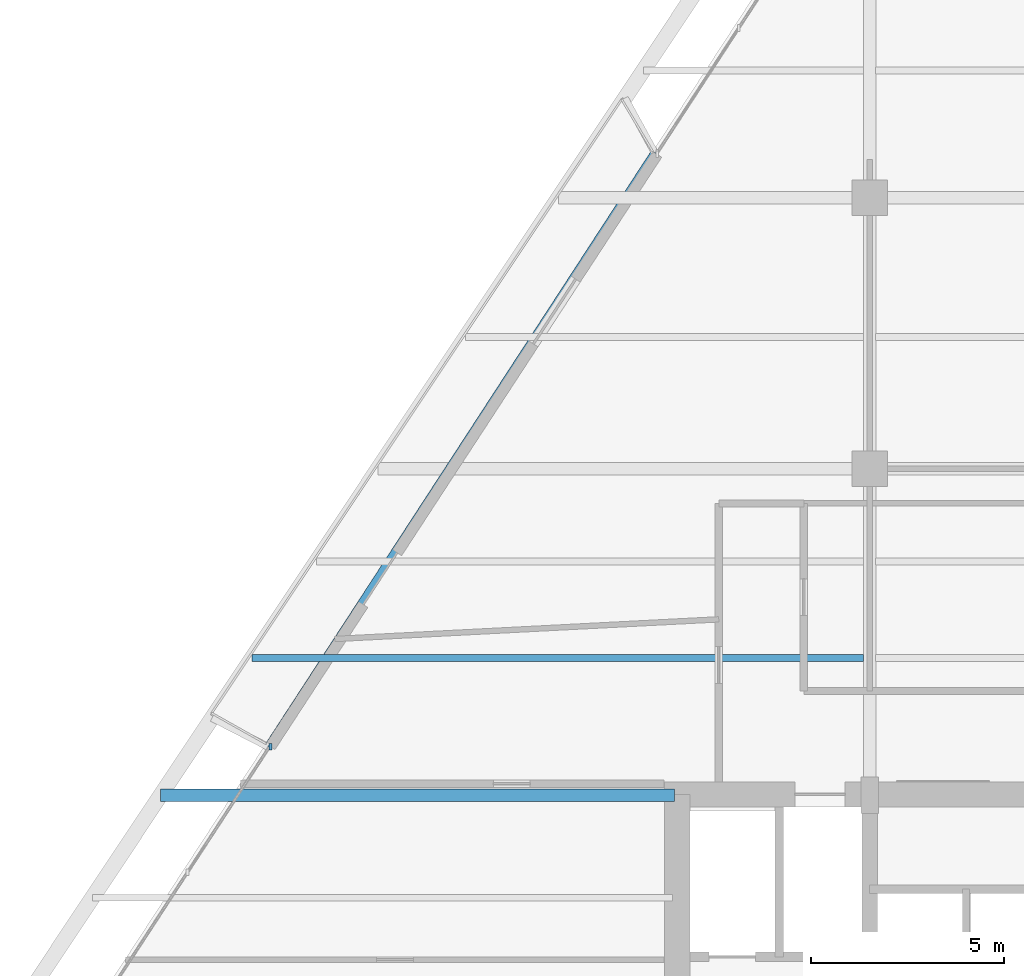
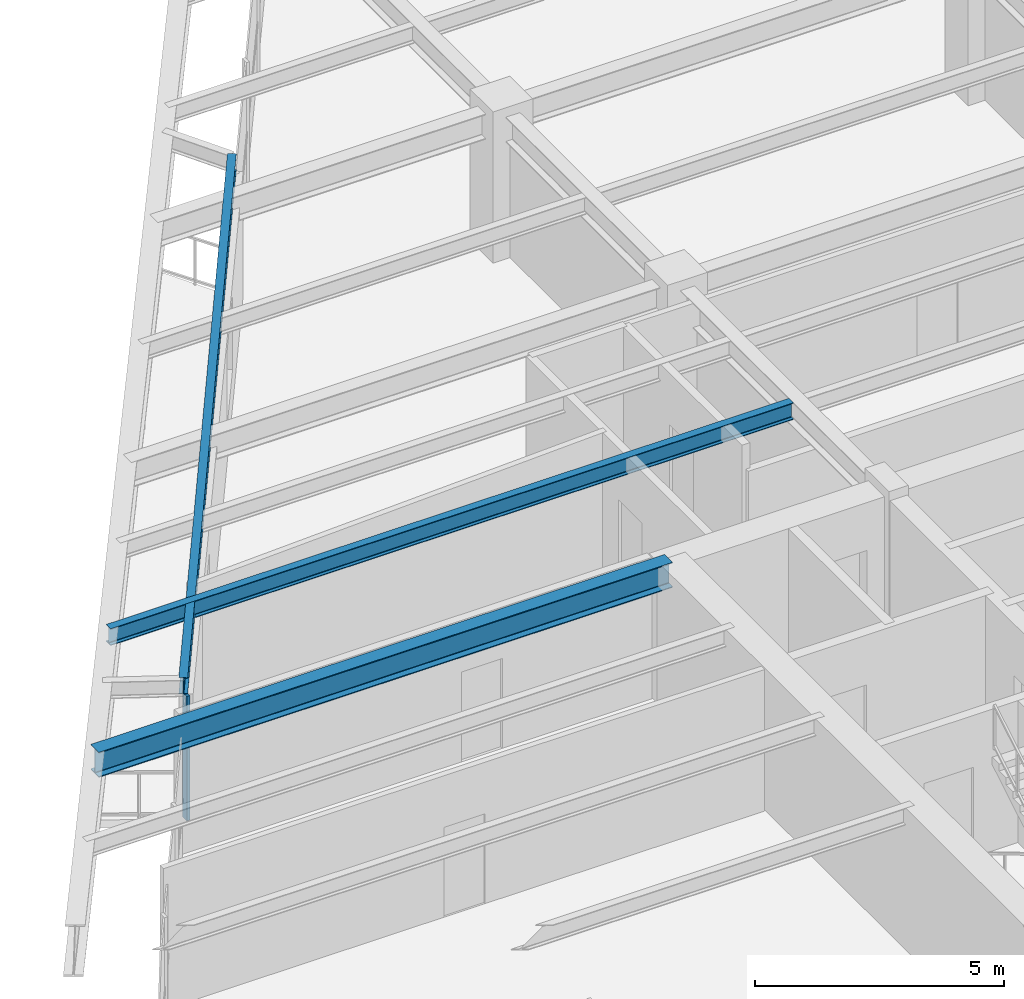
# One storey, part 4 of 15: 3 beams, 1 member, 1 element without a shape of its own.
"""IFC4 building model written with IfcOpenShell, lengths in metres."""

from ifc_helpers import new_model, si_unit, direction, frame, origin, origin_2d, place, context, subcontext, project, spatial, rectangle, i_section, extrude, source, transform, mapped, material, material_profile, profile_set, type_object, element, aggregate, save


model = new_model("IFC4")

# Units and contexts
model_context = context("Model", 3, precision=1e-05, world=origin(), true_north=direction((0.0, 1.0)))
body_context = subcontext(model_context, "Body", "Model", "MODEL_VIEW")
ifc_project = project(units=[si_unit("LENGTHUNIT", "METRE"), si_unit("AREAUNIT", "SQUARE_METRE"), si_unit("VOLUMEUNIT", "CUBIC_METRE"), si_unit("PLANEANGLEUNIT", "RADIAN"), si_unit("MASSUNIT", "GRAM", prefix="KILO")], contexts=[model_context])

# Site, building, storey
site_placement = place(None, origin())
site = spatial("IfcSite", under=ifc_project, at=site_placement, CompositionType="ELEMENT")
building_placement = place(site_placement, origin())
building = spatial("IfcBuilding", under=site, at=building_placement, Name="Varnakhor Terracotta Tower", CompositionType="ELEMENT")
storey_placement = place(building_placement, frame((0.0, 0.0, 136.699951171875)))
storey = spatial("IfcBuildingStorey", under=building, at=storey_placement, Name="L34", CompositionType="ELEMENT", Elevation=136.699951171875)

# Beams
ifc_material_1 = material(Name="Steel S355", Category="steel")
ifc_material_profile_1 = material_profile(ifc_material_1, i_section(OverallWidth=0.179931640625, OverallDepth=0.39990234375, WebThickness=0.008544921875, FlangeThickness=0.013427734375, FilletRadius=0.01806640625, at=origin_2d()), Name="IPE400")
ifc_profile_set_1 = profile_set([ifc_material_profile_1], Name="Steel S355")
beam_type_1 = type_object("IfcBeamType", Name="JST-IPE400", PredefinedType="JOIST", material=ifc_profile_set_1)
shared_shape_1 = source(origin(), body_context, "Body", "SweptSolid", [
    extrude(i_section(OverallWidth=0.179931640625, OverallDepth=0.39990234375, WebThickness=0.008544921875, FlangeThickness=0.013427734375, FilletRadius=0.01806640625, at=origin_2d()), origin(), (0.0, 0.0, 1.0), 18.34619140625),
])
beam_1_placement = place(storey_placement, frame((-11.059814453125, 32.68359375, 3.27001953125), z_axis=(-0.545366704321, -0.838197564908, 0.0), x_axis=(0.838197564908, -0.545366704321, 0.0)))
element("IfcBeam", 1, at=beam_1_placement, inside=storey, type_object=beam_type_1, Name="L34 Loggia Edge Beam 2", PredefinedType="JOIST", context=body_context, shape_type="MappedRepresentation", body=[
    mapped(shared_shape_1, transform((0.0, 0.0, 0.0), scale=1.0)),
])
ifc_material_profile_2 = material_profile(ifc_material_1, i_section(OverallWidth=0.324951171875, OverallDepth=0.615966796875, WebThickness=0.013916015625, FlangeThickness=0.02197265625, FilletRadius=0.01806640625, at=origin_2d()), Name="W24X117")
ifc_profile_set_2 = profile_set([ifc_material_profile_2], Name="Steel S355")
beam_type_2 = type_object("IfcBeamType", Name="BM-W24X117", PredefinedType="BEAM", material=ifc_profile_set_2)
shared_shape_2 = source(origin(), body_context, "Body", "SweptSolid", [
    extrude(i_section(OverallWidth=0.324951171875, OverallDepth=0.615966796875, WebThickness=0.013916015625, FlangeThickness=0.02197265625, FilletRadius=0.01806640625, at=origin_2d()), origin(), (0.0, 0.0, 1.0), 13.286865234375),
])
beam_2_placement = place(storey_placement, frame((-23.8369140625, 16.050048828125, 3.162109375), z_axis=(1.0, 0.0, 0.0), x_axis=(0.0, 1.0, 0.0)))
element("IfcBeam", 2, at=beam_2_placement, inside=storey, type_object=beam_type_2, Name="L34 Wing Girder W", PredefinedType="BEAM", context=body_context, shape_type="MappedRepresentation", body=[
    mapped(shared_shape_2, transform((0.0, 0.0, 0.0), scale=1.0)),
])
ifc_material_profile_3 = material_profile(ifc_material_1, i_section(OverallWidth=0.179931640625, OverallDepth=0.4130859375, WebThickness=0.009765625, FlangeThickness=0.01611328125, FilletRadius=0.01806640625, at=origin_2d()), Name="W16X50")
ifc_profile_set_3 = profile_set([ifc_material_profile_3], Name="Steel S355")
beam_type_3 = type_object("IfcBeamType", Name="JST-W16X50", PredefinedType="JOIST", material=ifc_profile_set_3)
shared_shape_3 = source(origin(), body_context, "Body", "SweptSolid", [
    extrude(i_section(OverallWidth=0.179931640625, OverallDepth=0.4130859375, WebThickness=0.009765625, FlangeThickness=0.01611328125, FilletRadius=0.01806640625, at=origin_2d()), origin(), (0.0, 0.0, 1.0), 15.814208984375),
])
beam_3_placement = place(storey_placement, frame((-21.47265625, 19.60009765625, 3.263427734375), z_axis=(1.0, 0.0, 0.0), x_axis=(0.0, 1.0, 0.0)))
element("IfcBeam", 3, at=beam_3_placement, inside=storey, type_object=beam_type_3, Name="L34 Composite Floor Joist 4-1", PredefinedType="JOIST", context=body_context, shape_type="MappedRepresentation", body=[
    mapped(shared_shape_3, transform((0.0, 0.0, 0.0), scale=1.0)),
])

# Curtain wall, member
ifc_material_2 = material(Name="Anodised Aluminium Curtain Wall System", Category="aluminium")
curtain_wall_type = type_object("IfcCurtainWallType", Name="CW-SYS-MID-OFFICE", PredefinedType="NOTDEFINED", material=ifc_material_2)
curtain_wall_placement = place(storey_placement, origin())
curtain_wall = element("IfcCurtainWall", 4, at=curtain_wall_placement, inside=storey, type_object=curtain_wall_type, Name="L34 W Facet Curtain Wall 1", PredefinedType="NOTDEFINED")
ifc_material_3 = material(Name="Anodised Aluminium 6063-T6", Category="aluminium")
ifc_material_profile_4 = material_profile(ifc_material_3, rectangle(XDim=0.070068359375, YDim=0.175048828125, at=origin_2d()), Name="ALU MULLION 70x175")
ifc_profile_set_4 = profile_set([ifc_material_profile_4], Name="Anodised Aluminium 6063-T6")
member_type = type_object("IfcMemberType", Name="CWM-03", PredefinedType="MULLION", material=ifc_profile_set_4)
shared_shape_4 = source(origin(), body_context, "Body", "SweptSolid", [
    extrude(rectangle(XDim=0.070068359375, YDim=0.175048828125, at=origin_2d()), origin(), (0.0, 0.0, 1.0), 3.050048828125),
])
member_placement = place(storey_placement, frame((-20.9951171875, 17.3076171875, 0.0), z_axis=(0.0, 0.0, 1.0), x_axis=(1.0, 0.0, 0.0)))
member = element("IfcMember", 5, at=member_placement, type_object=member_type, Name="L34 W Loggia Jamb Closure Mullion 1", PredefinedType="MULLION", context=body_context, shape_type="MappedRepresentation", body=[
    mapped(shared_shape_4, transform((0.0, 0.0, 0.0), scale=1.0)),
])
aggregate(curtain_wall, [member])

save(model, "model.ifc")
